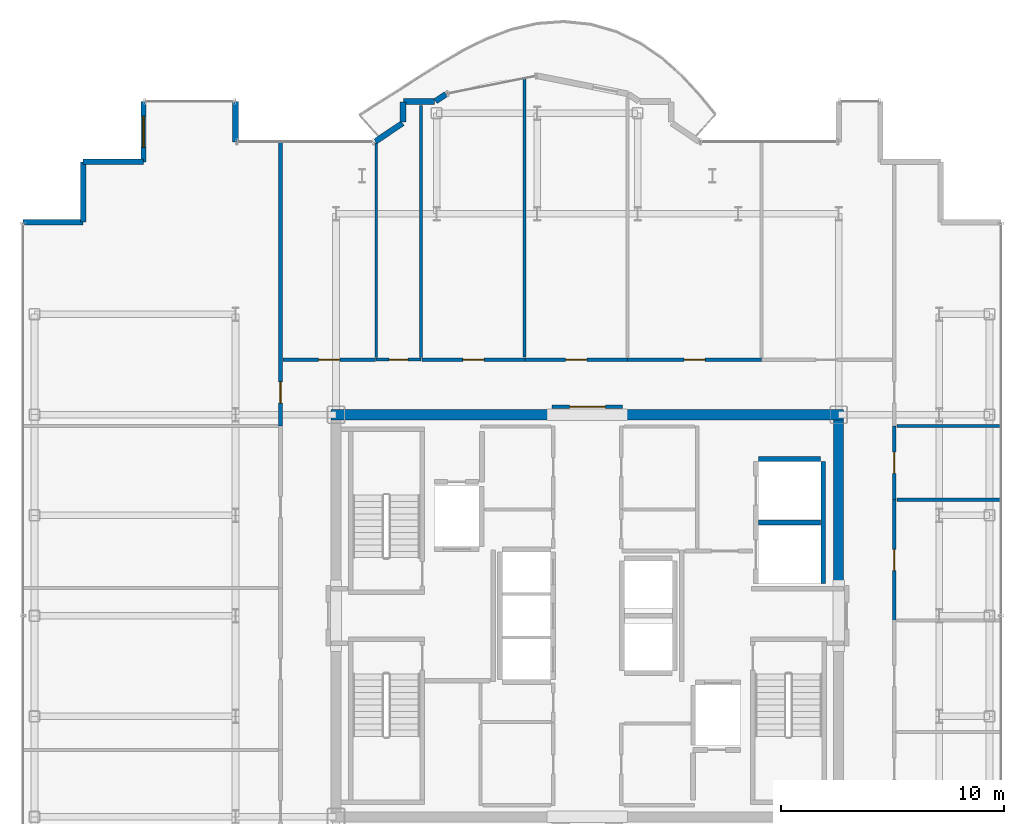
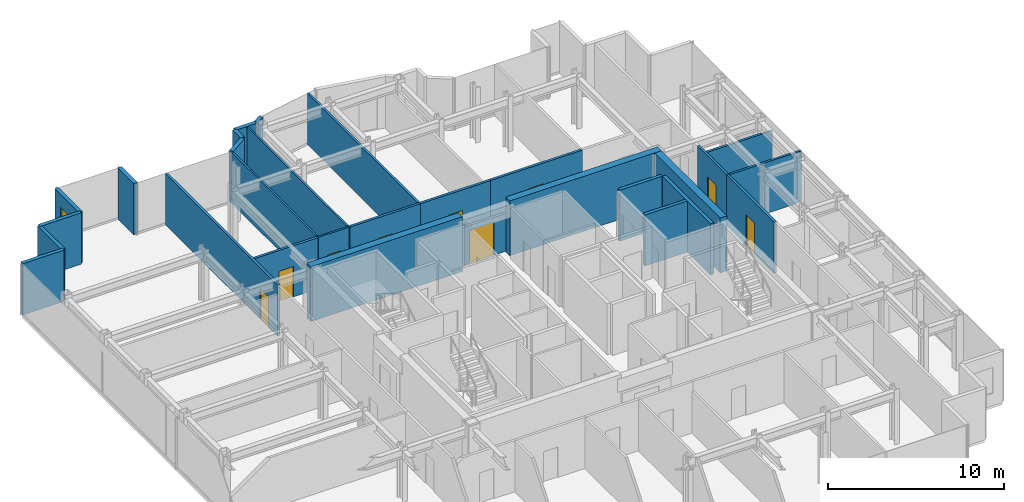
# One storey, part 16 of 18: 29 walls, 9 doors, 1 window, 10 openings.
"""IFC4 building model written with IfcOpenShell, lengths in metres."""

from ifc_helpers import new_model, si_unit, direction, frame, frame_2d, origin, place, context, subcontext, project, spatial, rectangle, extrude, source, transform, mapped, material, layer, layer_set, type_object, element, fill, save


model = new_model("IFC4")

# Units and contexts
model_context = context("Model", 3, precision=1e-05, world=origin(), true_north=direction((0.0, 1.0)))
body_context = subcontext(model_context, "Body", "Model", "MODEL_VIEW")
ifc_project = project(units=[si_unit("LENGTHUNIT", "METRE"), si_unit("AREAUNIT", "SQUARE_METRE"), si_unit("VOLUMEUNIT", "CUBIC_METRE"), si_unit("PLANEANGLEUNIT", "RADIAN"), si_unit("MASSUNIT", "GRAM", prefix="KILO")], contexts=[model_context])

# Site, building, storey
site_placement = place(None, origin())
site = spatial("IfcSite", under=ifc_project, at=site_placement, CompositionType="ELEMENT")
building_placement = place(site_placement, origin())
building = spatial("IfcBuilding", under=site, at=building_placement, Name="Nefas-Gora Pilgrimage Tower", CompositionType="ELEMENT")
storey_placement = place(building_placement, frame((0.0, 0.0, 295.0)))
storey = spatial("IfcBuildingStorey", under=building, at=storey_placement, Name="L74", CompositionType="ELEMENT", Elevation=295.0)

# Walls
ifc_material_1 = material(Name="Concrete C50/60", Category="concrete")
ifc_layer_1 = layer(ifc_material_1, 0.449951171875)
ifc_layer_set_1 = layer_set([ifc_layer_1], Name="Concrete C50/60")
wall_type_1 = type_object("IfcWallType", Name="SW-CORE-450", PredefinedType="SHEAR", material=ifc_layer_set_1)
shared_shape_1 = source(origin(), body_context, "Body", "SweptSolid", [
    extrude(rectangle(XDim=9.925048828125, YDim=0.449951171875, at=frame_2d((4.96240234375, 0.0))), origin(), (0.0, 0.0, 1.0), 3.800048828125),
])
for number, where, z_axis, x_axis, name in (
    (1, (-11.47509765625, 9.0, 0.0), (0.0, 0.0, 1.0), (1.0, 0.0, 0.0), "L74 Core Shear Wall N-West"),
    (2, (1.550048828125, 9.0, 0.0), (0.0, 0.0, 1.0), (1.0, 0.0, 0.0), "L74 Core Shear Wall N-East"),
):
    element("IfcWall", number, at=place(storey_placement, frame(where, z_axis=z_axis, x_axis=x_axis)), inside=storey, type_object=wall_type_1, Name=name, PredefinedType="SHEAR", context=body_context, shape_type="MappedRepresentation", body=[
        mapped(shared_shape_1, transform((0.0, 0.0, 0.0), x_axis=(1.0, 0.0, 0.0), y_axis=(0.0, 1.0, 0.0), z_axis=(0.0, 0.0, 1.0), scale=1.0)),
    ])
shared_shape_2 = source(origin(), body_context, "Body", "SweptSolid", [
    extrude(rectangle(XDim=7.4248046875, YDim=0.449951171875, at=frame_2d((3.71240234375, 0.0))), origin(), (0.0, 0.0, 1.0), 3.800048828125),
])
wall_1_placement = place(storey_placement, frame((11.25, 1.35009765625, 0.0), z_axis=(0.0, 0.0, 1.0), x_axis=(0.0, 1.0, 0.0)))
element("IfcWall", 3, at=wall_1_placement, inside=storey, type_object=wall_type_1, Name="L74 Core Shear Wall E-North", PredefinedType="SHEAR", context=body_context, shape_type="MappedRepresentation", body=[
    mapped(shared_shape_2, transform((0.0, 0.0, 0.0), x_axis=(1.0, 0.0, 0.0), y_axis=(0.0, 1.0, 0.0), z_axis=(0.0, 0.0, 1.0), scale=1.0)),
])
ifc_material_2 = material(Name="Precast concrete C40/50", Category="concrete")
ifc_layer_2 = layer(ifc_material_2, 0.260009765625)
ifc_layer_set_2 = layer_set([ifc_layer_2], Name="Precast concrete C40/50")
wall_type_2 = type_object("IfcWallType", Name="EW-PORTAL-260", PredefinedType="SOLIDWALL", material=ifc_layer_set_2)
shared_shape_3 = source(origin(), body_context, "Body", "SweptSolid", [
    extrude(rectangle(XDim=1.800048828125, YDim=0.260009765625, at=frame_2d((0.89990234375, 0.0))), origin(), (0.0, 0.0, 1.0), 3.550048828125),
])
wall_2_placement = place(storey_placement, frame((-15.75, 21.219970703125, 0.0), z_axis=(0.0, 0.0, 1.0), x_axis=(0.0, 1.0, 0.0)))
element("IfcWall", 4, at=wall_2_placement, inside=storey, type_object=wall_type_2, Name="L74 Lobe Shoulder Precast Spandrel Pier 16", PredefinedType="SOLIDWALL", context=body_context, shape_type="MappedRepresentation", body=[
    mapped(shared_shape_3, transform((0.0, 0.0, 0.0), x_axis=(1.0, 0.0, 0.0), y_axis=(0.0, 1.0, 0.0), z_axis=(0.0, 0.0, 1.0), scale=1.0)),
])

# Wall, opening, window
ifc_material_3 = material(Name="Precast concrete C45/55", Category="concrete")
ifc_layer_3 = layer(ifc_material_3, 0.239990234375)
ifc_layer_set_3 = layer_set([ifc_layer_3], Name="Precast concrete C45/55")
wall_type_3 = type_object("IfcWallType", Name="EW-SERR-240", PredefinedType="SHEAR", material=ifc_layer_set_3)
shared_shape_4 = source(origin(), body_context, "Body", "SweptSolid", [
    extrude(rectangle(XDim=2.699951171875, YDim=0.239990234375, at=frame_2d((1.35009765625, 0.0))), origin(), (0.0, 0.0, 1.0), 3.550048828125),
])
wall_3_placement = place(storey_placement, frame((-19.8701171875, 23.02001953125, 0.0), z_axis=(0.0, 0.0, 1.0), x_axis=(0.0, -1.0, 0.0)))
wall_3 = element("IfcWall", 5, at=wall_3_placement, inside=storey, type_object=wall_type_3, Name="L74 Serrated Corner Shear Pier Wall 17", PredefinedType="SHEAR", context=body_context, shape_type="MappedRepresentation", body=[
    mapped(shared_shape_4, transform((0.0, 0.0, 0.0), x_axis=(1.0, 0.0, 0.0), y_axis=(0.0, 1.0, 0.0), z_axis=(0.0, 0.0, 1.0), scale=1.0)),
])
opening_1_placement = place(wall_3_placement, frame((0.64990234375, 0.0, 0.85009765625)))
opening_1 = element("IfcOpeningElement", 6, at=opening_1_placement, cuts=wall_3, Name="Opening W-V2", PredefinedType="OPENING", context=body_context, shape_type="SweptSolid", body=[
    extrude(rectangle(XDim=1.39990234375, YDim=1.800048828125, at=frame_2d((0.699951171875, 0.89990234375))), frame((0.0, 0.1298828125, 0.0), z_axis=(0.0, -1.0, 0.0), x_axis=(1.0, 0.0, 0.0)), (0.0, 0.0, 1.0), 0.260009765625),
])
ifc_material_4 = material(Name="Dark ceramic-fritted operable aluminium-glass window", Category="aluminium")
window_type = type_object("IfcWindowType", Name="WIN-VENT-1400x1800", PartitioningType="SINGLE_PANEL", PredefinedType="WINDOW", material=ifc_material_4)
shared_shape_5 = source(origin(), body_context, "Body", "SweptSolid", [
    extrude(rectangle(XDim=1.39990234375, YDim=1.800048828125, at=frame_2d((0.699951171875, 0.89990234375))), frame((0.0, 0.030029296875, 0.0), z_axis=(0.0, -1.0, 0.0), x_axis=(1.0, 0.0, 0.0)), (0.0, 0.0, 1.0), 0.06005859375),
])
window_placement = place(opening_1_placement, origin())
window = element("IfcWindow", 7, at=window_placement, inside=storey, type_object=window_type, Name="L74 Operable Parallel-Outswing Window 17", OverallHeight=1.800048828125, OverallWidth=1.39990234375, PartitioningType="SINGLE_PANEL", PredefinedType="WINDOW", context=body_context, shape_type="MappedRepresentation", body=[
    mapped(shared_shape_5, transform((0.0, 0.0, 0.0), x_axis=(1.0, 0.0, 0.0), y_axis=(0.0, 1.0, 0.0), z_axis=(0.0, 0.0, 1.0), scale=1.0)),
])
fill(opening_1, window)

# Walls
for number, where, z_axis, x_axis, name in (
    (8, (-19.8701171875, 20.320068359375, 0.0), (0.0, 0.0, 1.0), (-1.0, 0.0, 0.0), "L74 Serrated Corner Shear Pier Wall 18"),
    (9, (-22.570068359375, 20.320068359375, 0.0), (0.0, 0.0, 1.0), (0.0, -1.0, 0.0), "L74 Serrated Corner Shear Pier Wall 19"),
    (10, (-22.570068359375, 17.6201171875, 0.0), (0.0, 0.0, 1.0), (-1.0, 0.0, 0.0), "L74 Serrated Corner Shear Pier Wall 20"),
):
    element("IfcWall", number, at=place(storey_placement, frame(where, z_axis=z_axis, x_axis=x_axis)), inside=storey, type_object=wall_type_3, Name=name, PredefinedType="SHEAR", context=body_context, shape_type="MappedRepresentation", body=[
        mapped(shared_shape_4, transform((0.0, 0.0, 0.0), x_axis=(1.0, 0.0, 0.0), y_axis=(0.0, 1.0, 0.0), z_axis=(0.0, 0.0, 1.0), scale=1.0)),
    ])
shared_shape_6 = source(origin(), body_context, "Body", "SweptSolid", [
    extrude(rectangle(XDim=1.468994140625, YDim=0.260009765625, at=frame_2d((0.734375, 0.0))), origin(), (0.0, 0.0, 1.0), 3.550048828125),
])
wall_4_placement = place(storey_placement, frame((-8.273193359375, 22.0517578125, 0.0), z_axis=(0.0, 0.0, 1.0), x_axis=(-0.831461760506, -0.555581983884, 0.0)))
element("IfcWall", 11, at=wall_4_placement, inside=storey, type_object=wall_type_2, Name="L74 Lobe Shoulder Precast Spandrel Pier 15", PredefinedType="SOLIDWALL", context=body_context, shape_type="MappedRepresentation", body=[
    mapped(shared_shape_6, transform((0.0, 0.0, 0.0), x_axis=(1.0, 0.0, 0.0), y_axis=(0.0, 1.0, 0.0), z_axis=(0.0, 0.0, 1.0), scale=1.0)),
])
shared_shape_7 = source(origin(), body_context, "Body", "SweptSolid", [
    extrude(rectangle(XDim=0.896728515625, YDim=0.260009765625, at=frame_2d((0.4482421875, 0.0))), origin(), (0.0, 0.0, 1.0), 3.550048828125),
])
wall_5_placement = place(storey_placement, frame((-8.25, 22.991943359375, 0.0), z_axis=(0.0, 0.0, 1.0), x_axis=(0.0, -1.0, 0.0)))
element("IfcWall", 12, at=wall_5_placement, inside=storey, type_object=wall_type_2, Name="L74 Lobe Shoulder Precast Spandrel Pier 14", PredefinedType="SOLIDWALL", context=body_context, shape_type="MappedRepresentation", body=[
    mapped(shared_shape_7, transform((0.0, 0.0, 0.0), x_axis=(1.0, 0.0, 0.0), y_axis=(0.0, 1.0, 0.0), z_axis=(0.0, 0.0, 1.0), scale=1.0)),
])
shared_shape_8 = source(origin(), body_context, "Body", "SweptSolid", [
    extrude(rectangle(XDim=1.369873046875, YDim=0.260009765625, at=frame_2d((0.68505859375, 0.0))), origin(), (0.0, 0.0, 1.0), 3.550048828125),
])
wall_6_placement = place(storey_placement, frame((-6.85205078125, 23.02001953125, 0.0), z_axis=(0.0, 0.0, 1.0), x_axis=(-1.0, 0.0, 0.0)))
element("IfcWall", 13, at=wall_6_placement, inside=storey, type_object=wall_type_2, Name="L74 Lobe Shoulder Precast Spandrel Pier 13", PredefinedType="SOLIDWALL", context=body_context, shape_type="MappedRepresentation", body=[
    mapped(shared_shape_8, transform((0.0, 0.0, 0.0), x_axis=(1.0, 0.0, 0.0), y_axis=(0.0, 1.0, 0.0), z_axis=(0.0, 0.0, 1.0), scale=1.0)),
])
shared_shape_9 = source(origin(), body_context, "Body", "SweptSolid", [
    extrude(rectangle(XDim=0.5654296875, YDim=0.260009765625, at=frame_2d((0.28271484375, 0.0))), origin(), (0.0, 0.0, 1.0), 3.550048828125),
])
wall_7_placement = place(storey_placement, frame((-6.33056640625, 23.349609375, 0.0), z_axis=(0.0, 0.0, 1.0), x_axis=(-0.831651492666, -0.555297933317, 0.0)))
element("IfcWall", 14, at=wall_7_placement, inside=storey, type_object=wall_type_2, Name="L74 Lobe Shoulder Precast Spandrel Pier 12", PredefinedType="SOLIDWALL", context=body_context, shape_type="MappedRepresentation", body=[
    mapped(shared_shape_9, transform((0.0, 0.0, 0.0), x_axis=(1.0, 0.0, 0.0), y_axis=(0.0, 1.0, 0.0), z_axis=(0.0, 0.0, 1.0), scale=1.0)),
])
ifc_material_5 = material(Name="Concrete C40/50", Category="concrete")
ifc_layer_4 = layer(ifc_material_5, 0.219970703125)
ifc_layer_set_4 = layer_set([ifc_layer_4], Name="Concrete C40/50")
wall_type_4 = type_object("IfcWallType", Name="IW-SHAFT-220", PredefinedType="SOLIDWALL", material=ifc_layer_set_4)
shared_shape_10 = source(origin(), body_context, "Body", "SweptSolid", [
    extrude(rectangle(XDim=5.449951171875, YDim=0.219970703125, at=frame_2d((2.72509765625, 0.0))), origin(), (0.0, 0.0, 1.0), 3.534912109375),
])
wall_8_placement = place(storey_placement, frame((10.56005859375, 1.449951171875, 0.0), z_axis=(0.0, 0.0, 1.0), x_axis=(0.0, 1.0, 0.0)))
element("IfcWall", 15, at=wall_8_placement, inside=storey, type_object=wall_type_4, Name="L74 Hoistway Wall SL-01-02-E", PredefinedType="SOLIDWALL", context=body_context, shape_type="MappedRepresentation", body=[
    mapped(shared_shape_10, transform((0.0, 0.0, 0.0), x_axis=(1.0, 0.0, 0.0), y_axis=(0.0, 1.0, 0.0), z_axis=(0.0, 0.0, 1.0), scale=1.0)),
])
shared_shape_11 = source(origin(), body_context, "Body", "SweptSolid", [
    extrude(rectangle(XDim=2.780029296875, YDim=0.219970703125, at=frame_2d((1.39013671875, 0.0))), origin(), (0.0, 0.0, 1.0), 3.534912109375),
])
for number, where, z_axis, x_axis, name in (
    (16, (7.659912109375, 4.175048828125, 0.0), (0.0, 0.0, 1.0), (1.0, 0.0, 0.0), "L74 Hoistway Wall SL-01-02-DIV"),
    (17, (10.43994140625, 7.010009765625, 0.0), (0.0, 0.0, 1.0), (-1.0, 0.0, 0.0), "L74 Hoistway Wall SL-02-N"),
):
    element("IfcWall", number, at=place(storey_placement, frame(where, z_axis=z_axis, x_axis=x_axis)), inside=storey, type_object=wall_type_4, Name=name, PredefinedType="SOLIDWALL", context=body_context, shape_type="MappedRepresentation", body=[
        mapped(shared_shape_11, transform((0.0, 0.0, 0.0), x_axis=(1.0, 0.0, 0.0), y_axis=(0.0, 1.0, 0.0), z_axis=(0.0, 0.0, 1.0), scale=1.0)),
    ])

# Wall, opening, door
ifc_material_6 = material(Name="Moisture-resistant fire-rated gypsum partition")
ifc_layer_5 = layer(ifc_material_6, 0.1201171875)
ifc_layer_set_5 = layer_set([ifc_layer_5], Name="Moisture-resistant fire-rated gypsum partition")
wall_type_5 = type_object("IfcWallType", Name="IW-WET-120", PredefinedType="PLUMBINGWALL", material=ifc_layer_set_5)
shared_shape_12 = source(origin(), body_context, "Body", "SweptSolid", [
    extrude(rectangle(XDim=2.02001953125, YDim=0.1201171875, at=frame_2d((1.010009765625, 0.0))), origin(), (0.0, 0.0, 1.0), 3.534912109375),
])
wall_9_placement = place(storey_placement, frame((-9.4599609375, 11.469970703125, 0.0), z_axis=(0.0, 0.0, 1.0), x_axis=(1.0, 0.0, 0.0)))
wall_9 = element("IfcWall", 18, at=wall_9_placement, inside=storey, type_object=wall_type_5, Name="L74 Accessible Unisex WC Partition Wall 36", PredefinedType="PLUMBINGWALL", context=body_context, shape_type="MappedRepresentation", body=[
    mapped(shared_shape_12, transform((0.0, 0.0, 0.0), x_axis=(1.0, 0.0, 0.0), y_axis=(0.0, 1.0, 0.0), z_axis=(0.0, 0.0, 1.0), scale=1.0)),
])
opening_2_placement = place(wall_9_placement, frame((0.5849609375, 0.0, 0.0)))
opening_2 = element("IfcOpeningElement", 19, at=opening_2_placement, cuts=wall_9, Name="Opening ID-BT1", PredefinedType="OPENING", context=body_context, shape_type="SweptSolid", body=[
    extrude(rectangle(XDim=0.85009765625, YDim=2.10009765625, at=frame_2d((0.425048828125, 1.050048828125))), frame((0.0, 0.070068359375, 0.0), z_axis=(0.0, -1.0, 0.0), x_axis=(1.0, 0.0, 0.0)), (0.0, 0.0, 1.0), 0.14013671875),
])
ifc_material_7 = material(Name="Moisture-resistant fire-rated timber door", Category="wood")
door_type_1 = type_object("IfcDoorType", Name="DR-INT-BATH-850", OperationType="NOTDEFINED", PredefinedType="DOOR", material=ifc_material_7)
shared_shape_13 = source(origin(), body_context, "Body", "SweptSolid", [
    extrude(rectangle(XDim=0.85009765625, YDim=2.10009765625, at=frame_2d((0.425048828125, 1.050048828125))), frame((0.0, 0.02490234375, 0.0), z_axis=(0.0, -1.0, 0.0), x_axis=(1.0, 0.0, 0.0)), (0.0, 0.0, 1.0), 0.050048828125),
])
door_1_placement = place(opening_2_placement, origin())
door_1 = element("IfcDoor", 20, at=door_1_placement, inside=storey, type_object=door_type_1, Name="L74 Accessible Unisex WC Door 15", OperationType="SINGLE_SWING_LEFT", OverallHeight=2.10009765625, OverallWidth=0.85009765625, PredefinedType="DOOR", context=body_context, shape_type="MappedRepresentation", body=[
    mapped(shared_shape_13, transform((0.0, 0.0, 0.0), x_axis=(1.0, 0.0, 0.0), y_axis=(0.0, 1.0, 0.0), z_axis=(0.0, 0.0, 1.0), scale=1.0)),
])
fill(opening_2, door_1)

# Walls
shared_shape_14 = source(origin(), body_context, "Body", "SweptSolid", [
    extrude(rectangle(XDim=11.280029296875, YDim=0.1201171875, at=frame_2d((5.64013671875, 0.0))), origin(), (0.0, 0.0, 1.0), 3.534912109375),
])
wall_10_placement = place(storey_placement, frame((-7.449951171875, 11.570068359375, 0.0), z_axis=(0.0, 0.0, 1.0), x_axis=(0.0, 1.0, 0.0)))
element("IfcWall", 21, at=wall_10_placement, inside=storey, type_object=wall_type_5, Name="L74 Accessible Unisex WC Partition Wall 37", PredefinedType="PLUMBINGWALL", context=body_context, shape_type="MappedRepresentation", body=[
    mapped(shared_shape_14, transform((0.0, 0.0, 0.0), x_axis=(1.0, 0.0, 0.0), y_axis=(0.0, 1.0, 0.0), z_axis=(0.0, 0.0, 1.0), scale=1.0)),
])
shared_shape_15 = source(origin(), body_context, "Body", "SweptSolid", [
    extrude(rectangle(XDim=9.586669921875, YDim=0.1201171875, at=frame_2d((4.79345703125, 0.0))), origin(), (0.0, 0.0, 1.0), 3.534912109375),
])
wall_11_placement = place(storey_placement, frame((-9.449951171875, 11.570068359375, 0.0), z_axis=(0.0, 0.0, 1.0), x_axis=(0.0, 1.0, 0.0)))
element("IfcWall", 22, at=wall_11_placement, inside=storey, type_object=wall_type_5, Name="L74 Accessible Unisex WC Partition Wall 38", PredefinedType="PLUMBINGWALL", context=body_context, shape_type="MappedRepresentation", body=[
    mapped(shared_shape_15, transform((0.0, 0.0, 0.0), x_axis=(1.0, 0.0, 0.0), y_axis=(0.0, 1.0, 0.0), z_axis=(0.0, 0.0, 1.0), scale=1.0)),
])

# Wall, opening, door
ifc_material_8 = material(Name="Gypsum acoustic stud partition")
ifc_layer_6 = layer(ifc_material_8, 0.159912109375)
ifc_layer_set_6 = layer_set([ifc_layer_6], Name="Gypsum acoustic stud partition")
wall_type_6 = type_object("IfcWallType", Name="IW-CORR-160", PredefinedType="PARTITIONING", material=ifc_layer_set_6)
shared_shape_16 = source(origin(), body_context, "Body", "SweptSolid", [
    extrude(rectangle(XDim=4.125, YDim=0.159912109375, at=frame_2d((2.0625, 0.0))), origin(), (0.0, 0.0, 1.0), 3.534912109375),
])
wall_12_placement = place(storey_placement, frame((-13.6201171875, 11.469970703125, 0.0), z_axis=(0.0, 0.0, 1.0), x_axis=(1.0, 0.0, 0.0)))
wall_12 = element("IfcWall", 23, at=wall_12_placement, inside=storey, type_object=wall_type_6, Name="L74 Pilgrim Contemplative Lounge Partition Wall 57", PredefinedType="PARTITIONING", context=body_context, shape_type="MappedRepresentation", body=[
    mapped(shared_shape_16, transform((0.0, 0.0, 0.0), x_axis=(1.0, 0.0, 0.0), y_axis=(0.0, 1.0, 0.0), z_axis=(0.0, 0.0, 1.0), scale=1.0)),
])
opening_3_placement = place(wall_12_placement, frame((1.58740234375, 0.0, 0.0)))
opening_3 = element("IfcOpeningElement", 24, at=opening_3_placement, cuts=wall_12, Name="Opening ID-GR1", PredefinedType="OPENING", context=body_context, shape_type="SweptSolid", body=[
    extrude(rectangle(XDim=0.949951171875, YDim=2.10009765625, at=frame_2d((0.47509765625, 1.050048828125))), frame((0.0, 0.08984375, 0.0), z_axis=(0.0, -1.0, 0.0), x_axis=(1.0, 0.0, 0.0)), (0.0, 0.0, 1.0), 0.179931640625),
])
ifc_material_9 = material(Name="Solid core oak fire-rated guest entrance door")
door_type_2 = type_object("IfcDoorType", Name="DR-INT-GUEST-950", OperationType="NOTDEFINED", PredefinedType="DOOR", material=ifc_material_9)
shared_shape_17 = source(origin(), body_context, "Body", "SweptSolid", [
    extrude(rectangle(XDim=0.949951171875, YDim=2.10009765625, at=frame_2d((0.47509765625, 1.050048828125))), frame((0.0, 0.02490234375, 0.0), z_axis=(0.0, -1.0, 0.0), x_axis=(1.0, 0.0, 0.0)), (0.0, 0.0, 1.0), 0.050048828125),
])
door_2_placement = place(opening_3_placement, origin())
door_2 = element("IfcDoor", 25, at=door_2_placement, inside=storey, type_object=door_type_2, Name="L74 Pilgrim Contemplative Lounge Door 26", OperationType="SINGLE_SWING_RIGHT", OverallHeight=2.10009765625, OverallWidth=0.949951171875, PredefinedType="DOOR", context=body_context, shape_type="MappedRepresentation", body=[
    mapped(shared_shape_17, transform((0.0, 0.0, 0.0), x_axis=(1.0, 0.0, 0.0), y_axis=(0.0, 1.0, 0.0), z_axis=(0.0, 0.0, 1.0), scale=1.0)),
])
fill(opening_3, door_2)

shared_shape_18 = source(origin(), body_context, "Body", "SweptSolid", [
    extrude(rectangle(XDim=12.75244140625, YDim=0.159912109375, at=frame_2d((6.376220703125, 0.0))), origin(), (0.0, 0.0, 1.0), 3.534912109375),
])
wall_13_placement = place(storey_placement, frame((-13.739990234375, 8.487548828125, 0.0), z_axis=(0.0, 0.0, 1.0), x_axis=(0.0, 1.0, 0.0)))
wall_13 = element("IfcWall", 26, at=wall_13_placement, inside=storey, type_object=wall_type_6, Name="L74 Pilgrim Tea and Beverage Pantry Partition Wall 41", PredefinedType="PARTITIONING", context=body_context, shape_type="MappedRepresentation", body=[
    mapped(shared_shape_18, transform((0.0, 0.0, 0.0), x_axis=(1.0, 0.0, 0.0), y_axis=(0.0, 1.0, 0.0), z_axis=(0.0, 0.0, 1.0), scale=1.0)),
])
opening_4_placement = place(wall_13_placement, frame((1.0361328125, 0.0, 0.0)))
opening_4 = element("IfcOpeningElement", 27, at=opening_4_placement, cuts=wall_13, Name="Opening ID-GR1", PredefinedType="OPENING", context=body_context, shape_type="SweptSolid", body=[
    extrude(rectangle(XDim=0.949951171875, YDim=2.10009765625, at=frame_2d((0.47509765625, 1.050048828125))), frame((0.0, 0.08984375, 0.0), z_axis=(0.0, -1.0, 0.0), x_axis=(1.0, 0.0, 0.0)), (0.0, 0.0, 1.0), 0.179931640625),
])
door_3_placement = place(opening_4_placement, origin())
door_3 = element("IfcDoor", 28, at=door_3_placement, inside=storey, type_object=door_type_2, Name="L74 Pilgrim Tea and Beverage Pantry Door 17", OperationType="SINGLE_SWING_LEFT", OverallHeight=2.10009765625, OverallWidth=0.949951171875, PredefinedType="DOOR", context=body_context, shape_type="MappedRepresentation", body=[
    mapped(shared_shape_17, transform((0.0, 0.0, 0.0), x_axis=(1.0, 0.0, 0.0), y_axis=(0.0, 1.0, 0.0), z_axis=(0.0, 0.0, 1.0), scale=1.0)),
])
fill(opening_4, door_3)

shared_shape_19 = source(origin(), body_context, "Body", "SweptSolid", [
    extrude(rectangle(XDim=3.309814453125, YDim=0.159912109375, at=frame_2d((1.65478515625, 0.0))), origin(), (0.0, 0.0, 1.0), 3.534912109375),
])
wall_14_placement = place(storey_placement, frame((13.739990234375, 5.195068359375, 0.0), z_axis=(0.0, 0.0, 1.0), x_axis=(0.0, 1.0, 0.0)))
wall_14 = element("IfcWall", 29, at=wall_14_placement, inside=storey, type_object=wall_type_6, Name="L74 Scripture Reading Study Partition Wall 54", PredefinedType="PARTITIONING", context=body_context, shape_type="MappedRepresentation", body=[
    mapped(shared_shape_19, transform((0.0, 0.0, 0.0), x_axis=(1.0, 0.0, 0.0), y_axis=(0.0, 1.0, 0.0), z_axis=(0.0, 0.0, 1.0), scale=1.0)),
])
opening_5_placement = place(wall_14_placement, frame((1.179931640625, 0.0, 0.0)))
opening_5 = element("IfcOpeningElement", 30, at=opening_5_placement, cuts=wall_14, Name="Opening ID-GR1", PredefinedType="OPENING", context=body_context, shape_type="SweptSolid", body=[
    extrude(rectangle(XDim=0.949951171875, YDim=2.10009765625, at=frame_2d((0.47509765625, 1.050048828125))), frame((0.0, 0.08984375, 0.0), z_axis=(0.0, -1.0, 0.0), x_axis=(1.0, 0.0, 0.0)), (0.0, 0.0, 1.0), 0.179931640625),
])
door_4_placement = place(opening_5_placement, origin())
door_4 = element("IfcDoor", 31, at=door_4_placement, inside=storey, type_object=door_type_2, Name="L74 Scripture Reading Study Door 24", OperationType="SINGLE_SWING_RIGHT", OverallHeight=2.10009765625, OverallWidth=0.949951171875, PredefinedType="DOOR", context=body_context, shape_type="MappedRepresentation", body=[
    mapped(shared_shape_17, transform((0.0, 0.0, 0.0), x_axis=(1.0, 0.0, 0.0), y_axis=(0.0, 1.0, 0.0), z_axis=(0.0, 0.0, 1.0), scale=1.0)),
])
fill(opening_5, door_4)

shared_shape_20 = source(origin(), body_context, "Body", "SweptSolid", [
    extrude(rectangle(XDim=4.60498046875, YDim=0.159912109375, at=frame_2d((2.302490234375, 0.0))), origin(), (0.0, 0.0, 1.0), 3.534912109375),
])
wall_15_placement = place(storey_placement, frame((-7.405029296875, 11.469970703125, 0.0), z_axis=(0.0, 0.0, 1.0), x_axis=(1.0, 0.0, 0.0)))
wall_15 = element("IfcWall", 32, at=wall_15_placement, inside=storey, type_object=wall_type_6, Name="L74 Pilgrim Contemplative Lounge Partition Wall 58", PredefinedType="PARTITIONING", context=body_context, shape_type="MappedRepresentation", body=[
    mapped(shared_shape_20, transform((0.0, 0.0, 0.0), x_axis=(1.0, 0.0, 0.0), y_axis=(0.0, 1.0, 0.0), z_axis=(0.0, 0.0, 1.0), scale=1.0)),
])
opening_6_placement = place(wall_15_placement, frame((1.827392578125, 0.0, 0.0)))
opening_6 = element("IfcOpeningElement", 33, at=opening_6_placement, cuts=wall_15, Name="Opening ID-GR1", PredefinedType="OPENING", context=body_context, shape_type="SweptSolid", body=[
    extrude(rectangle(XDim=0.949951171875, YDim=2.10009765625, at=frame_2d((0.47509765625, 1.050048828125))), frame((0.0, 0.08984375, 0.0), z_axis=(0.0, -1.0, 0.0), x_axis=(1.0, 0.0, 0.0)), (0.0, 0.0, 1.0), 0.179931640625),
])
door_5_placement = place(opening_6_placement, origin())
door_5 = element("IfcDoor", 34, at=door_5_placement, inside=storey, type_object=door_type_2, Name="L74 Pilgrim Contemplative Lounge Door 27", OperationType="SINGLE_SWING_LEFT", OverallHeight=2.10009765625, OverallWidth=0.949951171875, PredefinedType="DOOR", context=body_context, shape_type="MappedRepresentation", body=[
    mapped(shared_shape_17, transform((0.0, 0.0, 0.0), x_axis=(1.0, 0.0, 0.0), y_axis=(0.0, 1.0, 0.0), z_axis=(0.0, 0.0, 1.0), scale=1.0)),
])
fill(opening_6, door_5)

wall_16_placement = place(storey_placement, frame((-2.800048828125, 11.469970703125, 0.0), z_axis=(0.0, 0.0, 1.0), x_axis=(1.0, 0.0, 0.0)))
wall_16 = element("IfcWall", 35, at=wall_16_placement, inside=storey, type_object=wall_type_6, Name="L74 Pilgrim Contemplative Lounge Partition Wall 60", PredefinedType="PARTITIONING", context=body_context, shape_type="MappedRepresentation", body=[
    mapped(shared_shape_20, transform((0.0, 0.0, 0.0), x_axis=(1.0, 0.0, 0.0), y_axis=(0.0, 1.0, 0.0), z_axis=(0.0, 0.0, 1.0), scale=1.0)),
])
opening_7_placement = place(wall_16_placement, frame((1.827392578125, 0.0, 0.0)))
opening_7 = element("IfcOpeningElement", 36, at=opening_7_placement, cuts=wall_16, Name="Opening ID-GR1", PredefinedType="OPENING", context=body_context, shape_type="SweptSolid", body=[
    extrude(rectangle(XDim=0.949951171875, YDim=2.10009765625, at=frame_2d((0.47509765625, 1.050048828125))), frame((0.0, 0.08984375, 0.0), z_axis=(0.0, -1.0, 0.0), x_axis=(1.0, 0.0, 0.0)), (0.0, 0.0, 1.0), 0.179931640625),
])
door_6_placement = place(opening_7_placement, origin())
door_6 = element("IfcDoor", 37, at=door_6_placement, inside=storey, type_object=door_type_2, Name="L74 Pilgrim Contemplative Lounge Door 28", OperationType="SINGLE_SWING_RIGHT", OverallHeight=2.10009765625, OverallWidth=0.949951171875, PredefinedType="DOOR", context=body_context, shape_type="MappedRepresentation", body=[
    mapped(shared_shape_17, transform((0.0, 0.0, 0.0), x_axis=(1.0, 0.0, 0.0), y_axis=(0.0, 1.0, 0.0), z_axis=(0.0, 0.0, 1.0), scale=1.0)),
])
fill(opening_7, door_6)

# Wall
ifc_material_10 = material(Name="Gypsum twin-stud partition")
ifc_layer_7 = layer(ifc_material_10, 0.139892578125)
ifc_layer_set_7 = layer_set([ifc_layer_7], Name="Gypsum twin-stud partition")
wall_type_7 = type_object("IfcWallType", Name="IW-UNIT-140", PredefinedType="PARTITIONING", material=ifc_layer_set_7)
shared_shape_21 = source(origin(), body_context, "Body", "SweptSolid", [
    extrude(rectangle(XDim=12.4951171875, YDim=0.139892578125, at=frame_2d((6.24755859375, 0.0))), origin(), (0.0, 0.0, 1.0), 3.534912109375),
])
wall_17_placement = place(storey_placement, frame((-2.81005859375, 11.590087890625, 0.0), z_axis=(0.0, 0.0, 1.0), x_axis=(0.0, 1.0, 0.0)))
element("IfcWall", 38, at=wall_17_placement, inside=storey, type_object=wall_type_7, Name="L74 Pilgrim Contemplative Lounge Partition Wall 59", PredefinedType="PARTITIONING", context=body_context, shape_type="MappedRepresentation", body=[
    mapped(shared_shape_21, transform((0.0, 0.0, 0.0), x_axis=(1.0, 0.0, 0.0), y_axis=(0.0, 1.0, 0.0), z_axis=(0.0, 0.0, 1.0), scale=1.0)),
])

# Wall, opening, door
shared_shape_22 = source(origin(), body_context, "Body", "SweptSolid", [
    extrude(rectangle(XDim=6.010009765625, YDim=0.159912109375, at=frame_2d((3.0048828125, 0.0))), origin(), (0.0, 0.0, 1.0), 3.534912109375),
])
wall_18_placement = place(storey_placement, frame((1.794921875, 11.469970703125, 0.0), z_axis=(0.0, 0.0, 1.0), x_axis=(1.0, 0.0, 0.0)))
wall_18 = element("IfcWall", 39, at=wall_18_placement, inside=storey, type_object=wall_type_6, Name="L74 Pilgrim Contemplative Lounge Partition Wall 62", PredefinedType="PARTITIONING", context=body_context, shape_type="MappedRepresentation", body=[
    mapped(shared_shape_22, transform((0.0, 0.0, 0.0), x_axis=(1.0, 0.0, 0.0), y_axis=(0.0, 1.0, 0.0), z_axis=(0.0, 0.0, 1.0), scale=1.0)),
])
opening_8_placement = place(wall_18_placement, frame((2.530029296875, 0.0, 0.0)))
opening_8 = element("IfcOpeningElement", 40, at=opening_8_placement, cuts=wall_18, Name="Opening ID-GR1", PredefinedType="OPENING", context=body_context, shape_type="SweptSolid", body=[
    extrude(rectangle(XDim=0.949951171875, YDim=2.10009765625, at=frame_2d((0.47509765625, 1.050048828125))), frame((0.0, 0.08984375, 0.0), z_axis=(0.0, -1.0, 0.0), x_axis=(1.0, 0.0, 0.0)), (0.0, 0.0, 1.0), 0.179931640625),
])
door_7_placement = place(opening_8_placement, origin())
door_7 = element("IfcDoor", 41, at=door_7_placement, inside=storey, type_object=door_type_2, Name="L74 Pilgrim Contemplative Lounge Door 29", OperationType="SINGLE_SWING_LEFT", OverallHeight=2.10009765625, OverallWidth=0.949951171875, PredefinedType="DOOR", context=body_context, shape_type="MappedRepresentation", body=[
    mapped(shared_shape_17, transform((0.0, 0.0, 0.0), x_axis=(1.0, 0.0, 0.0), y_axis=(0.0, 1.0, 0.0), z_axis=(0.0, 0.0, 1.0), scale=1.0)),
])
fill(opening_8, door_7)

shared_shape_23 = source(origin(), body_context, "Body", "SweptSolid", [
    extrude(rectangle(XDim=5.41015625, YDim=0.159912109375, at=frame_2d((2.705078125, 0.0))), origin(), (0.0, 0.0, 1.0), 3.534912109375),
])
wall_19_placement = place(storey_placement, frame((13.739990234375, -0.205078125, 0.0), z_axis=(0.0, 0.0, 1.0), x_axis=(0.0, 1.0, 0.0)))
wall_19 = element("IfcWall", 42, at=wall_19_placement, inside=storey, type_object=wall_type_6, Name="L74 Pilgrim Contemplative Lounge Partition Wall 52", PredefinedType="PARTITIONING", context=body_context, shape_type="MappedRepresentation", body=[
    mapped(shared_shape_23, transform((0.0, 0.0, 0.0), x_axis=(1.0, 0.0, 0.0), y_axis=(0.0, 1.0, 0.0), z_axis=(0.0, 0.0, 1.0), scale=1.0)),
])
opening_9_placement = place(wall_19_placement, frame((2.22998046875, 0.0, 0.0)))
opening_9 = element("IfcOpeningElement", 43, at=opening_9_placement, cuts=wall_19, Name="Opening ID-GR1", PredefinedType="OPENING", context=body_context, shape_type="SweptSolid", body=[
    extrude(rectangle(XDim=0.949951171875, YDim=2.10009765625, at=frame_2d((0.47509765625, 1.050048828125))), frame((0.0, 0.08984375, 0.0), z_axis=(0.0, -1.0, 0.0), x_axis=(1.0, 0.0, 0.0)), (0.0, 0.0, 1.0), 0.179931640625),
])
door_8_placement = place(opening_9_placement, origin())
door_8 = element("IfcDoor", 44, at=door_8_placement, inside=storey, type_object=door_type_2, Name="L74 Pilgrim Contemplative Lounge Door 23", OperationType="SINGLE_SWING_LEFT", OverallHeight=2.10009765625, OverallWidth=0.949951171875, PredefinedType="DOOR", context=body_context, shape_type="MappedRepresentation", body=[
    mapped(shared_shape_17, transform((0.0, 0.0, 0.0), x_axis=(1.0, 0.0, 0.0), y_axis=(0.0, 1.0, 0.0), z_axis=(0.0, 0.0, 1.0), scale=1.0)),
])
fill(opening_9, door_8)

shared_shape_24 = source(origin(), body_context, "Body", "SweptSolid", [
    extrude(rectangle(XDim=3.16015625, YDim=0.159912109375, at=frame_2d((1.580078125, 0.0))), origin(), (0.0, 0.0, 1.0), 2.625),
])
wall_20_placement = place(storey_placement, frame((-1.580078125, 9.35009765625, 0.0), z_axis=(0.0, 0.0, 1.0), x_axis=(1.0, 0.0, 0.0)))
wall_20 = element("IfcWall", 45, at=wall_20_placement, inside=storey, type_object=wall_type_6, Name="L74 Central Lift Lobby North Portal Wall 16", PredefinedType="PARTITIONING", context=body_context, shape_type="MappedRepresentation", body=[
    mapped(shared_shape_24, transform((0.0, 0.0, 0.0), x_axis=(1.0, 0.0, 0.0), y_axis=(0.0, 1.0, 0.0), z_axis=(0.0, 0.0, 1.0), scale=1.0)),
])
opening_10_placement = place(wall_20_placement, frame((0.780029296875, 0.0, 0.0)))
opening_10 = element("IfcOpeningElement", 46, at=opening_10_placement, cuts=wall_20, Name="Opening ID-HL1", PredefinedType="OPENING", context=body_context, shape_type="SweptSolid", body=[
    extrude(rectangle(XDim=1.60009765625, YDim=2.300048828125, at=frame_2d((0.800048828125, 1.14990234375))), frame((0.0, 0.08984375, 0.0), z_axis=(0.0, -1.0, 0.0), x_axis=(1.0, 0.0, 0.0)), (0.0, 0.0, 1.0), 0.179931640625),
])
ifc_material_11 = material(Name="Double acoustic timber assembly hall door", Category="wood")
door_type_3 = type_object("IfcDoorType", Name="DR-INT-HALL-1600", OperationType="DOUBLE_DOOR_SINGLE_SWING", PredefinedType="DOOR", material=ifc_material_11)
shared_shape_25 = source(origin(), body_context, "Body", "SweptSolid", [
    extrude(rectangle(XDim=1.60009765625, YDim=2.300048828125, at=frame_2d((0.800048828125, 1.14990234375))), frame((0.0, 0.02490234375, 0.0), z_axis=(0.0, -1.0, 0.0), x_axis=(1.0, 0.0, 0.0)), (0.0, 0.0, 1.0), 0.050048828125),
])
door_9_placement = place(opening_10_placement, origin())
door_9 = element("IfcDoor", 47, at=door_9_placement, inside=storey, type_object=door_type_3, Name="L74 Central Lift Lobby North Portal Door 6", OperationType="DOUBLE_DOOR_SINGLE_SWING", OverallHeight=2.300048828125, OverallWidth=1.60009765625, PredefinedType="DOOR", context=body_context, shape_type="MappedRepresentation", body=[
    mapped(shared_shape_25, transform((0.0, 0.0, 0.0), x_axis=(1.0, 0.0, 0.0), y_axis=(0.0, 1.0, 0.0), z_axis=(0.0, 0.0, 1.0), scale=1.0)),
])
fill(opening_10, door_9)

# Walls
shared_shape_26 = source(origin(), body_context, "Body", "SweptSolid", [
    extrude(rectangle(XDim=4.679931640625, YDim=0.139892578125, at=frame_2d((2.33984375, 0.0))), origin(), (0.0, 0.0, 1.0), 2.925048828125),
])
wall_21_placement = place(storey_placement, frame((13.860107421875, 8.4951171875, 0.0), z_axis=(0.0, 0.0, 1.0), x_axis=(1.0, 0.0, 0.0)))
element("IfcWall", 48, at=wall_21_placement, inside=storey, type_object=wall_type_7, Name="L74 Scripture Reading Study Partition Wall 55", PredefinedType="PARTITIONING", context=body_context, shape_type="MappedRepresentation", body=[
    mapped(shared_shape_26, transform((0.0, 0.0, 0.0), x_axis=(1.0, 0.0, 0.0), y_axis=(0.0, 1.0, 0.0), z_axis=(0.0, 0.0, 1.0), scale=1.0)),
])
shared_shape_27 = source(origin(), body_context, "Body", "SweptSolid", [
    extrude(rectangle(XDim=4.679931640625, YDim=0.139892578125, at=frame_2d((2.33984375, 0.0))), origin(), (0.0, 0.0, 1.0), 3.534912109375),
])
wall_22_placement = place(storey_placement, frame((13.860107421875, 5.195068359375, 0.0), z_axis=(0.0, 0.0, 1.0), x_axis=(1.0, 0.0, 0.0)))
element("IfcWall", 49, at=wall_22_placement, inside=storey, type_object=wall_type_7, Name="L74 Pilgrim Contemplative Lounge Partition Wall 53", PredefinedType="PARTITIONING", context=body_context, shape_type="MappedRepresentation", body=[
    mapped(shared_shape_27, transform((0.0, 0.0, 0.0), x_axis=(1.0, 0.0, 0.0), y_axis=(0.0, 1.0, 0.0), z_axis=(0.0, 0.0, 1.0), scale=1.0)),
])

save(model, "model.ifc")
